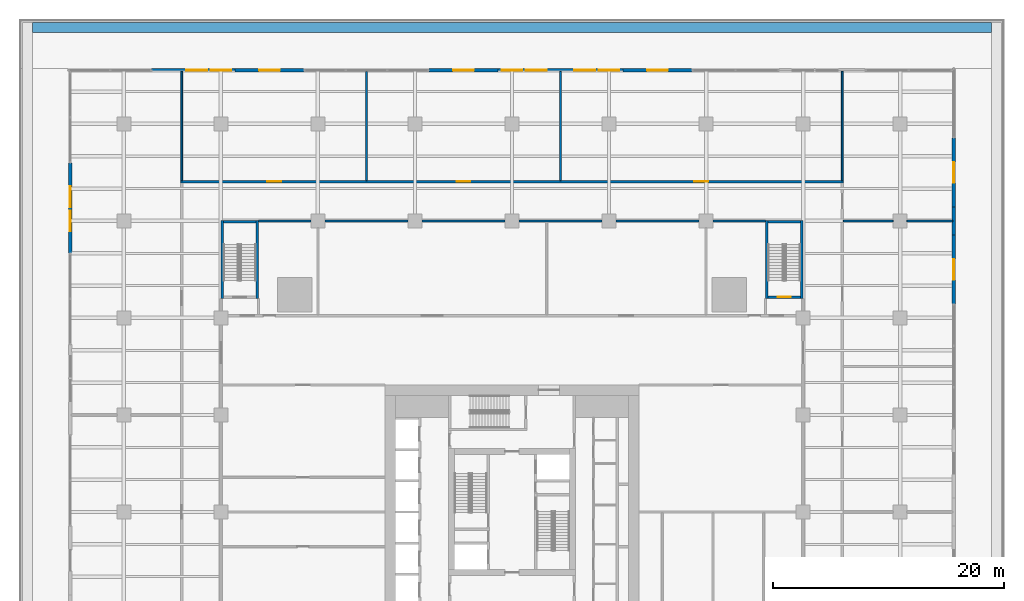
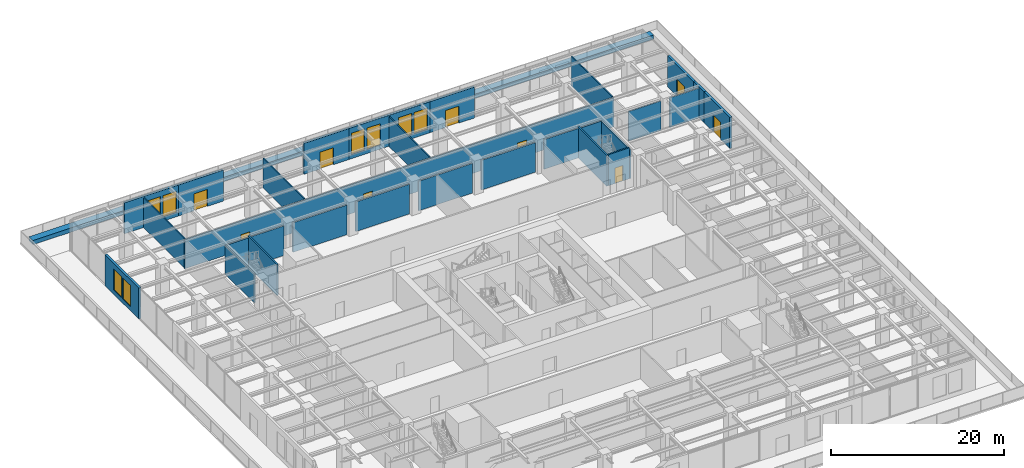
# One storey, part 22 of 32: 30 walls, 9 doors, 8 windows, 17 openings.
"""IFC4 building model written with IfcOpenShell, lengths in metres."""

from ifc_helpers import new_model, si_unit, direction, frame, frame_2d, origin, place, context, subcontext, project, spatial, rectangle, extrude, material, layer, layer_set, type_object, element, fill, save


model = new_model("IFC4")

# Units and contexts
model_context = context("Model", 3, precision=1e-05, world=origin(), true_north=direction((0.0, 1.0)))
body_context = subcontext(model_context, "Body", "Model", "MODEL_VIEW")
ifc_project = project(units=[si_unit("LENGTHUNIT", "METRE"), si_unit("AREAUNIT", "SQUARE_METRE"), si_unit("VOLUMEUNIT", "CUBIC_METRE"), si_unit("PLANEANGLEUNIT", "RADIAN"), si_unit("MASSUNIT", "GRAM", prefix="KILO")], contexts=[model_context])

# Site, building, storey
site_placement = place(None, origin())
site = spatial("IfcSite", under=ifc_project, at=site_placement, CompositionType="ELEMENT")
building_placement = place(site_placement, origin())
building = spatial("IfcBuilding", under=site, at=building_placement, Name="Khepri Terraces", CompositionType="ELEMENT")
storey_placement = place(building_placement, frame((0.0, 0.0, 12.0)))
storey = spatial("IfcBuildingStorey", under=building, at=storey_placement, Name="L02", CompositionType="ELEMENT", Elevation=12.0)

# Wall, opening, door
ifc_material_1 = material(Name="Precast concrete C50/60 warm stone", Category="masonry")
ifc_layer_1 = layer(ifc_material_1, 0.300048828125, Name="Precast concrete C50/60 warm stone", Category="masonry")
ifc_layer_set_1 = layer_set([ifc_layer_1], Name="Precast concrete C50/60 warm stone")
wall_type_1 = type_object("IfcWallType", Name="WL-EXT-PRECAST-300", PredefinedType="STANDARD", material=ifc_layer_set_1)
wall_1_placement = place(storey_placement, frame((38.25, 18.0, 0.0), z_axis=(0.0, 0.0, 1.0), x_axis=(0.0, 1.0, 0.0)))
wall_1 = element("IfcWall", 1, at=wall_1_placement, inside=storey, type_object=wall_type_1, Name="External wall L02 E", PredefinedType="STANDARD", context=body_context, shape_type="SweptSolid", body=[
    extrude(rectangle(XDim=6.0, YDim=0.300048828125, at=frame_2d((3.0, 0.0))), origin(), (0.0, 0.0, 1.0), 4.3798828125),
])
opening_1_placement = place(wall_1_placement, frame((2.10009765625, 0.0, 0.0)))
opening_1 = element("IfcOpeningElement", 2, at=opening_1_placement, cuts=wall_1, Name="Opening ED-L02-06", PredefinedType="OPENING", context=body_context, shape_type="SweptSolid", body=[
    extrude(rectangle(XDim=1.800048828125, YDim=2.39990234375, at=frame_2d((0.89990234375, 1.199951171875))), frame((0.0, 0.16015625, 0.0), z_axis=(0.0, -1.0, 0.0), x_axis=(1.0, 0.0, 0.0)), (0.0, 0.0, 1.0), 0.320068359375),
])
ifc_material_2 = material(Name="Anodised aluminium bronze glazed door", Category="aluminium")
door_type_1 = type_object("IfcDoorType", Name="DR-BAL-SLIDE-1800x2400", OperationType="NOTDEFINED", PredefinedType="DOOR", material=ifc_material_2)
door_1_placement = place(opening_1_placement, origin())
door_1 = element("IfcDoor", 3, at=door_1_placement, inside=storey, type_object=door_type_1, Name="Balcony door L02 E", OperationType="SLIDING_TO_LEFT", OverallHeight=2.39990234375, OverallWidth=1.800048828125, PredefinedType="DOOR", context=body_context, shape_type="SweptSolid", body=[
    extrude(rectangle(XDim=1.800048828125, YDim=2.39990234375, at=frame_2d((0.89990234375, 1.199951171875))), frame((0.0, 0.02490234375, 0.0), z_axis=(0.0, -1.0, 0.0), x_axis=(1.0, 0.0, 0.0)), (0.0, 0.0, 1.0), 0.050048828125),
])
fill(opening_1, door_1)

# Wall
wall_2_placement = place(storey_placement, frame((38.25, 24.0, 0.0), z_axis=(0.0, 0.0, 1.0), x_axis=(0.0, 1.0, 0.0)))
element("IfcWall", 4, at=wall_2_placement, inside=storey, type_object=wall_type_1, Name="External wall L02 E", PredefinedType="STANDARD", context=body_context, shape_type="SweptSolid", body=[
    extrude(rectangle(XDim=2.39990234375, YDim=0.300048828125, at=frame_2d((1.199951171875, 0.0))), origin(), (0.0, 0.0, 1.0), 4.3798828125),
])

# Wall, opening, door
wall_3_placement = place(storey_placement, frame((38.25, 26.39990234375, 0.0), z_axis=(0.0, 0.0, 1.0), x_axis=(0.0, 1.0, 0.0)))
wall_3 = element("IfcWall", 5, at=wall_3_placement, inside=storey, type_object=wall_type_1, Name="External wall L02 E", PredefinedType="STANDARD", context=body_context, shape_type="SweptSolid", body=[
    extrude(rectangle(XDim=6.0, YDim=0.300048828125, at=frame_2d((3.0, 0.0))), origin(), (0.0, 0.0, 1.0), 4.3798828125),
])
opening_2_placement = place(wall_3_placement, frame((2.10009765625, 0.0, 0.0)))
opening_2 = element("IfcOpeningElement", 6, at=opening_2_placement, cuts=wall_3, Name="Opening ED-L02-07", PredefinedType="OPENING", context=body_context, shape_type="SweptSolid", body=[
    extrude(rectangle(XDim=1.800048828125, YDim=2.39990234375, at=frame_2d((0.89990234375, 1.199951171875))), frame((0.0, 0.16015625, 0.0), z_axis=(0.0, -1.0, 0.0), x_axis=(1.0, 0.0, 0.0)), (0.0, 0.0, 1.0), 0.320068359375),
])
door_2_placement = place(opening_2_placement, origin())
door_2 = element("IfcDoor", 7, at=door_2_placement, inside=storey, type_object=door_type_1, Name="Balcony door L02 E", OperationType="SLIDING_TO_LEFT", OverallHeight=2.39990234375, OverallWidth=1.800048828125, PredefinedType="DOOR", context=body_context, shape_type="SweptSolid", body=[
    extrude(rectangle(XDim=1.800048828125, YDim=2.39990234375, at=frame_2d((0.89990234375, 1.199951171875))), frame((0.0, 0.02490234375, 0.0), z_axis=(0.0, -1.0, 0.0), x_axis=(1.0, 0.0, 0.0)), (0.0, 0.0, 1.0), 0.050048828125),
])
fill(opening_2, door_2)

wall_4_placement = place(storey_placement, frame((15.60009765625, 38.25, 0.0), z_axis=(0.0, 0.0, 1.0), x_axis=(-1.0, 0.0, 0.0)))
wall_4 = element("IfcWall", 8, at=wall_4_placement, inside=storey, type_object=wall_type_1, Name="External wall L02 N", PredefinedType="STANDARD", context=body_context, shape_type="SweptSolid", body=[
    extrude(rectangle(XDim=6.0, YDim=0.300048828125, at=frame_2d((3.0, 0.0))), origin(), (0.0, 0.0, 1.0), 4.3798828125),
])
opening_3_placement = place(wall_4_placement, frame((2.10009765625, 0.0, 0.0)))
opening_3 = element("IfcOpeningElement", 9, at=opening_3_placement, cuts=wall_4, Name="Opening ED-L02-08", PredefinedType="OPENING", context=body_context, shape_type="SweptSolid", body=[
    extrude(rectangle(XDim=1.800048828125, YDim=2.39990234375, at=frame_2d((0.89990234375, 1.199951171875))), frame((0.0, 0.16015625, 0.0), z_axis=(0.0, -1.0, 0.0), x_axis=(1.0, 0.0, 0.0)), (0.0, 0.0, 1.0), 0.320068359375),
])
door_3_placement = place(opening_3_placement, origin())
door_3 = element("IfcDoor", 10, at=door_3_placement, inside=storey, type_object=door_type_1, Name="Balcony door L02 N", OperationType="SLIDING_TO_RIGHT", OverallHeight=2.39990234375, OverallWidth=1.800048828125, PredefinedType="DOOR", context=body_context, shape_type="SweptSolid", body=[
    extrude(rectangle(XDim=1.800048828125, YDim=2.39990234375, at=frame_2d((0.89990234375, 1.199951171875))), frame((0.0, 0.02490234375, 0.0), z_axis=(0.0, -1.0, 0.0), x_axis=(1.0, 0.0, 0.0)), (0.0, 0.0, 1.0), 0.050048828125),
])
fill(opening_3, door_3)

# Wall, openings, windows
wall_5_placement = place(storey_placement, frame((9.60009765625, 38.25, 0.0), z_axis=(0.0, 0.0, 1.0), x_axis=(-1.0, 0.0, 0.0)))
wall_5 = element("IfcWall", 11, at=wall_5_placement, inside=storey, type_object=wall_type_1, Name="External wall L02 N", PredefinedType="STANDARD", context=body_context, shape_type="SweptSolid", body=[
    extrude(rectangle(XDim=10.800048828125, YDim=0.300048828125, at=frame_2d((5.39990234375, 0.0))), origin(), (0.0, 0.0, 1.0), 4.3798828125),
])
opening_4_placement = place(wall_5_placement, frame((0.300048828125, 0.0, 0.60009765625)))
opening_4 = element("IfcOpeningElement", 12, at=opening_4_placement, cuts=wall_5, Name="Opening WP1", PredefinedType="OPENING", context=body_context, shape_type="SweptSolid", body=[
    extrude(rectangle(XDim=1.800048828125, YDim=3.0, at=frame_2d((0.89990234375, 1.5))), frame((0.0, 0.16015625, 0.0), z_axis=(0.0, -1.0, 0.0), x_axis=(1.0, 0.0, 0.0)), (0.0, 0.0, 1.0), 0.320068359375),
])
opening_5_placement = place(wall_5_placement, frame((2.39990234375, 0.0, 0.60009765625)))
opening_5 = element("IfcOpeningElement", 13, at=opening_5_placement, cuts=wall_5, Name="Opening WP1", PredefinedType="OPENING", context=body_context, shape_type="SweptSolid", body=[
    extrude(rectangle(XDim=1.800048828125, YDim=3.0, at=frame_2d((0.89990234375, 1.5))), frame((0.0, 0.16015625, 0.0), z_axis=(0.0, -1.0, 0.0), x_axis=(1.0, 0.0, 0.0)), (0.0, 0.0, 1.0), 0.320068359375),
])
opening_6_placement = place(wall_5_placement, frame((6.60009765625, 0.0, 0.60009765625)))
opening_6 = element("IfcOpeningElement", 14, at=opening_6_placement, cuts=wall_5, Name="Opening WP1", PredefinedType="OPENING", context=body_context, shape_type="SweptSolid", body=[
    extrude(rectangle(XDim=1.800048828125, YDim=3.0, at=frame_2d((0.89990234375, 1.5))), frame((0.0, 0.16015625, 0.0), z_axis=(0.0, -1.0, 0.0), x_axis=(1.0, 0.0, 0.0)), (0.0, 0.0, 1.0), 0.320068359375),
])
opening_7_placement = place(wall_5_placement, frame((8.699951171875, 0.0, 0.60009765625)))
opening_7 = element("IfcOpeningElement", 15, at=opening_7_placement, cuts=wall_5, Name="Opening WP1", PredefinedType="OPENING", context=body_context, shape_type="SweptSolid", body=[
    extrude(rectangle(XDim=1.800048828125, YDim=3.0, at=frame_2d((0.89990234375, 1.5))), frame((0.0, 0.16015625, 0.0), z_axis=(0.0, -1.0, 0.0), x_axis=(1.0, 0.0, 0.0)), (0.0, 0.0, 1.0), 0.320068359375),
])
ifc_material_3 = material(Name="Clear glass", Category="glass")
window_type = type_object("IfcWindowType", Name="WIN-POD-1800x3000", PartitioningType="SINGLE_PANEL", PredefinedType="WINDOW", material=ifc_material_3)
window_1_placement = place(opening_4_placement, origin())
window_1 = element("IfcWindow", 16, at=window_1_placement, inside=storey, type_object=window_type, Name="Window L02 N", OverallHeight=3.0, OverallWidth=1.800048828125, PartitioningType="SINGLE_PANEL", PredefinedType="WINDOW", context=body_context, shape_type="SweptSolid", body=[
    extrude(rectangle(XDim=1.800048828125, YDim=3.0, at=frame_2d((0.89990234375, 1.5))), frame((0.0, 0.030029296875, 0.0), z_axis=(0.0, -1.0, 0.0), x_axis=(1.0, 0.0, 0.0)), (0.0, 0.0, 1.0), 0.06005859375),
])
fill(opening_4, window_1)
window_2_placement = place(opening_5_placement, origin())
window_2 = element("IfcWindow", 17, at=window_2_placement, inside=storey, type_object=window_type, Name="Window L02 N", OverallHeight=3.0, OverallWidth=1.800048828125, PartitioningType="SINGLE_PANEL", PredefinedType="WINDOW", context=body_context, shape_type="SweptSolid", body=[
    extrude(rectangle(XDim=1.800048828125, YDim=3.0, at=frame_2d((0.89990234375, 1.5))), frame((0.0, 0.030029296875, 0.0), z_axis=(0.0, -1.0, 0.0), x_axis=(1.0, 0.0, 0.0)), (0.0, 0.0, 1.0), 0.06005859375),
])
fill(opening_5, window_2)
window_3_placement = place(opening_6_placement, origin())
window_3 = element("IfcWindow", 18, at=window_3_placement, inside=storey, type_object=window_type, Name="Window L02 N", OverallHeight=3.0, OverallWidth=1.800048828125, PartitioningType="SINGLE_PANEL", PredefinedType="WINDOW", context=body_context, shape_type="SweptSolid", body=[
    extrude(rectangle(XDim=1.800048828125, YDim=3.0, at=frame_2d((0.89990234375, 1.5))), frame((0.0, 0.030029296875, 0.0), z_axis=(0.0, -1.0, 0.0), x_axis=(1.0, 0.0, 0.0)), (0.0, 0.0, 1.0), 0.06005859375),
])
fill(opening_6, window_3)
window_4_placement = place(opening_7_placement, origin())
window_4 = element("IfcWindow", 19, at=window_4_placement, inside=storey, type_object=window_type, Name="Window L02 N", OverallHeight=3.0, OverallWidth=1.800048828125, PartitioningType="SINGLE_PANEL", PredefinedType="WINDOW", context=body_context, shape_type="SweptSolid", body=[
    extrude(rectangle(XDim=1.800048828125, YDim=3.0, at=frame_2d((0.89990234375, 1.5))), frame((0.0, 0.030029296875, 0.0), z_axis=(0.0, -1.0, 0.0), x_axis=(1.0, 0.0, 0.0)), (0.0, 0.0, 1.0), 0.06005859375),
])
fill(opening_7, window_4)

# Wall, opening, door
wall_6_placement = place(storey_placement, frame((-1.199951171875, 38.25, 0.0), z_axis=(0.0, 0.0, 1.0), x_axis=(-1.0, 0.0, 0.0)))
wall_6 = element("IfcWall", 20, at=wall_6_placement, inside=storey, type_object=wall_type_1, Name="External wall L02 N", PredefinedType="STANDARD", context=body_context, shape_type="SweptSolid", body=[
    extrude(rectangle(XDim=6.0, YDim=0.300048828125, at=frame_2d((3.0, 0.0))), origin(), (0.0, 0.0, 1.0), 4.3798828125),
])
opening_8_placement = place(wall_6_placement, frame((2.10009765625, 0.0, 0.0)))
opening_8 = element("IfcOpeningElement", 21, at=opening_8_placement, cuts=wall_6, Name="Opening ED-L02-09", PredefinedType="OPENING", context=body_context, shape_type="SweptSolid", body=[
    extrude(rectangle(XDim=1.800048828125, YDim=2.39990234375, at=frame_2d((0.89990234375, 1.199951171875))), frame((0.0, 0.16015625, 0.0), z_axis=(0.0, -1.0, 0.0), x_axis=(1.0, 0.0, 0.0)), (0.0, 0.0, 1.0), 0.320068359375),
])
door_4_placement = place(opening_8_placement, origin())
door_4 = element("IfcDoor", 22, at=door_4_placement, inside=storey, type_object=door_type_1, Name="Balcony door L02 N", OperationType="SLIDING_TO_LEFT", OverallHeight=2.39990234375, OverallWidth=1.800048828125, PredefinedType="DOOR", context=body_context, shape_type="SweptSolid", body=[
    extrude(rectangle(XDim=1.800048828125, YDim=2.39990234375, at=frame_2d((0.89990234375, 1.199951171875))), frame((0.0, 0.02490234375, 0.0), z_axis=(0.0, -1.0, 0.0), x_axis=(1.0, 0.0, 0.0)), (0.0, 0.0, 1.0), 0.050048828125),
])
fill(opening_8, door_4)

wall_7_placement = place(storey_placement, frame((-18.0, 38.25, 0.0), z_axis=(0.0, 0.0, 1.0), x_axis=(-1.0, 0.0, 0.0)))
wall_7 = element("IfcWall", 23, at=wall_7_placement, inside=storey, type_object=wall_type_1, Name="External wall L02 N", PredefinedType="STANDARD", context=body_context, shape_type="SweptSolid", body=[
    extrude(rectangle(XDim=6.0, YDim=0.300048828125, at=frame_2d((3.0, 0.0))), origin(), (0.0, 0.0, 1.0), 4.3798828125),
])
opening_9_placement = place(wall_7_placement, frame((2.10009765625, 0.0, 0.0)))
opening_9 = element("IfcOpeningElement", 24, at=opening_9_placement, cuts=wall_7, Name="Opening ED-L02-10", PredefinedType="OPENING", context=body_context, shape_type="SweptSolid", body=[
    extrude(rectangle(XDim=1.800048828125, YDim=2.39990234375, at=frame_2d((0.89990234375, 1.199951171875))), frame((0.0, 0.16015625, 0.0), z_axis=(0.0, -1.0, 0.0), x_axis=(1.0, 0.0, 0.0)), (0.0, 0.0, 1.0), 0.320068359375),
])
door_5_placement = place(opening_9_placement, origin())
door_5 = element("IfcDoor", 25, at=door_5_placement, inside=storey, type_object=door_type_1, Name="Balcony door L02 N", OperationType="SLIDING_TO_LEFT", OverallHeight=2.39990234375, OverallWidth=1.800048828125, PredefinedType="DOOR", context=body_context, shape_type="SweptSolid", body=[
    extrude(rectangle(XDim=1.800048828125, YDim=2.39990234375, at=frame_2d((0.89990234375, 1.199951171875))), frame((0.0, 0.02490234375, 0.0), z_axis=(0.0, -1.0, 0.0), x_axis=(1.0, 0.0, 0.0)), (0.0, 0.0, 1.0), 0.050048828125),
])
fill(opening_9, door_5)

# Wall, openings, windows
wall_8_placement = place(storey_placement, frame((-24.0, 38.25, 0.0), z_axis=(0.0, 0.0, 1.0), x_axis=(-1.0, 0.0, 0.0)))
wall_8 = element("IfcWall", 26, at=wall_8_placement, inside=storey, type_object=wall_type_1, Name="External wall L02 N", PredefinedType="STANDARD", context=body_context, shape_type="SweptSolid", body=[
    extrude(rectangle(XDim=7.199951171875, YDim=0.300048828125, at=frame_2d((3.60009765625, 0.0))), origin(), (0.0, 0.0, 1.0), 4.3798828125),
])
opening_10_placement = place(wall_8_placement, frame((0.300048828125, 0.0, 0.60009765625)))
opening_10 = element("IfcOpeningElement", 27, at=opening_10_placement, cuts=wall_8, Name="Opening WP1", PredefinedType="OPENING", context=body_context, shape_type="SweptSolid", body=[
    extrude(rectangle(XDim=1.800048828125, YDim=3.0, at=frame_2d((0.89990234375, 1.5))), frame((0.0, 0.16015625, 0.0), z_axis=(0.0, -1.0, 0.0), x_axis=(1.0, 0.0, 0.0)), (0.0, 0.0, 1.0), 0.320068359375),
])
opening_11_placement = place(wall_8_placement, frame((2.39990234375, 0.0, 0.60009765625)))
opening_11 = element("IfcOpeningElement", 28, at=opening_11_placement, cuts=wall_8, Name="Opening WP1", PredefinedType="OPENING", context=body_context, shape_type="SweptSolid", body=[
    extrude(rectangle(XDim=1.800048828125, YDim=3.0, at=frame_2d((0.89990234375, 1.5))), frame((0.0, 0.16015625, 0.0), z_axis=(0.0, -1.0, 0.0), x_axis=(1.0, 0.0, 0.0)), (0.0, 0.0, 1.0), 0.320068359375),
])
window_5_placement = place(opening_10_placement, origin())
window_5 = element("IfcWindow", 29, at=window_5_placement, inside=storey, type_object=window_type, Name="Window L02 N", OverallHeight=3.0, OverallWidth=1.800048828125, PartitioningType="SINGLE_PANEL", PredefinedType="WINDOW", context=body_context, shape_type="SweptSolid", body=[
    extrude(rectangle(XDim=1.800048828125, YDim=3.0, at=frame_2d((0.89990234375, 1.5))), frame((0.0, 0.030029296875, 0.0), z_axis=(0.0, -1.0, 0.0), x_axis=(1.0, 0.0, 0.0)), (0.0, 0.0, 1.0), 0.06005859375),
])
fill(opening_10, window_5)
window_6_placement = place(opening_11_placement, origin())
window_6 = element("IfcWindow", 30, at=window_6_placement, inside=storey, type_object=window_type, Name="Window L02 N", OverallHeight=3.0, OverallWidth=1.800048828125, PartitioningType="SINGLE_PANEL", PredefinedType="WINDOW", context=body_context, shape_type="SweptSolid", body=[
    extrude(rectangle(XDim=1.800048828125, YDim=3.0, at=frame_2d((0.89990234375, 1.5))), frame((0.0, 0.030029296875, 0.0), z_axis=(0.0, -1.0, 0.0), x_axis=(1.0, 0.0, 0.0)), (0.0, 0.0, 1.0), 0.06005859375),
])
fill(opening_11, window_6)

wall_9_placement = place(storey_placement, frame((-38.25, 30.239990234375, 0.0), z_axis=(0.0, 0.0, 1.0), x_axis=(0.0, -1.0, 0.0)))
wall_9 = element("IfcWall", 31, at=wall_9_placement, inside=storey, type_object=wall_type_1, Name="External wall L02 W", PredefinedType="STANDARD", context=body_context, shape_type="SweptSolid", body=[
    extrude(rectangle(XDim=7.860107421875, YDim=0.300048828125, at=frame_2d((3.93017578125, 0.0))), origin(), (0.0, 0.0, 1.0), 4.3798828125),
])
opening_12_placement = place(wall_9_placement, frame((2.0400390625, 0.0, 0.60009765625)))
opening_12 = element("IfcOpeningElement", 32, at=opening_12_placement, cuts=wall_9, Name="Opening WP1", PredefinedType="OPENING", context=body_context, shape_type="SweptSolid", body=[
    extrude(rectangle(XDim=1.800048828125, YDim=3.0, at=frame_2d((0.89990234375, 1.5))), frame((0.0, 0.16015625, 0.0), z_axis=(0.0, -1.0, 0.0), x_axis=(1.0, 0.0, 0.0)), (0.0, 0.0, 1.0), 0.320068359375),
])
opening_13_placement = place(wall_9_placement, frame((4.139892578125, 0.0, 0.60009765625)))
opening_13 = element("IfcOpeningElement", 33, at=opening_13_placement, cuts=wall_9, Name="Opening WP1", PredefinedType="OPENING", context=body_context, shape_type="SweptSolid", body=[
    extrude(rectangle(XDim=1.800048828125, YDim=3.0, at=frame_2d((0.89990234375, 1.5))), frame((0.0, 0.16015625, 0.0), z_axis=(0.0, -1.0, 0.0), x_axis=(1.0, 0.0, 0.0)), (0.0, 0.0, 1.0), 0.320068359375),
])
window_7_placement = place(opening_12_placement, origin())
window_7 = element("IfcWindow", 34, at=window_7_placement, inside=storey, type_object=window_type, Name="Window L02 W", OverallHeight=3.0, OverallWidth=1.800048828125, PartitioningType="SINGLE_PANEL", PredefinedType="WINDOW", context=body_context, shape_type="SweptSolid", body=[
    extrude(rectangle(XDim=1.800048828125, YDim=3.0, at=frame_2d((0.89990234375, 1.5))), frame((0.0, 0.030029296875, 0.0), z_axis=(0.0, -1.0, 0.0), x_axis=(1.0, 0.0, 0.0)), (0.0, 0.0, 1.0), 0.06005859375),
])
fill(opening_12, window_7)
window_8_placement = place(opening_13_placement, origin())
window_8 = element("IfcWindow", 35, at=window_8_placement, inside=storey, type_object=window_type, Name="Window L02 W", OverallHeight=3.0, OverallWidth=1.800048828125, PartitioningType="SINGLE_PANEL", PredefinedType="WINDOW", context=body_context, shape_type="SweptSolid", body=[
    extrude(rectangle(XDim=1.800048828125, YDim=3.0, at=frame_2d((0.89990234375, 1.5))), frame((0.0, 0.030029296875, 0.0), z_axis=(0.0, -1.0, 0.0), x_axis=(1.0, 0.0, 0.0)), (0.0, 0.0, 1.0), 0.06005859375),
])
fill(opening_13, window_8)

# Walls
ifc_layer_2 = layer(ifc_material_1, 0.89990234375, Name="Precast concrete C50/60 warm stone", Category="masonry")
ifc_layer_set_2 = layer_set([ifc_layer_2], Name="Precast concrete C50/60 warm stone")
wall_type_2 = type_object("IfcWallType", Name="WL-PLANTER-900", PredefinedType="MOVABLE", material=ifc_layer_set_2)
wall_10_placement = place(storey_placement, frame((-41.5, 41.949951171875, 0.0), z_axis=(0.0, 0.0, 1.0), x_axis=(1.0, 0.0, 0.0)))
element("IfcWall", 36, at=wall_10_placement, inside=storey, type_object=wall_type_2, Name="Planter L02", PredefinedType="MOVABLE", context=body_context, shape_type="SweptSolid", body=[
    extrude(rectangle(XDim=83.0, YDim=0.89990234375, at=frame_2d((41.5, 0.0))), origin(), (0.0, 0.0, 1.0), 0.60009765625),
])
ifc_material_4 = material(Name="Gypsum board partition")
ifc_layer_3 = layer(ifc_material_4, 0.14990234375, Name="Gypsum board partition")
ifc_layer_set_3 = layer_set([ifc_layer_3], Name="Gypsum board partition")
wall_type_3 = type_object("IfcWallType", Name="WL-POD-150", PredefinedType="PARTITIONING", material=ifc_layer_set_3)
wall_11_placement = place(storey_placement, frame((28.699951171875, 25.199951171875, 0.0), z_axis=(0.0, 0.0, 1.0), x_axis=(1.0, 0.0, 0.0)))
element("IfcWall", 37, at=wall_11_placement, inside=storey, type_object=wall_type_3, Name="Partition L02-PW033", PredefinedType="PARTITIONING", context=body_context, shape_type="SweptSolid", body=[
    extrude(rectangle(XDim=4.300048828125, YDim=0.14990234375, at=frame_2d((2.14990234375, 0.0))), origin(), (0.0, 0.0, 1.0), 4.179931640625),
])
wall_12_placement = place(storey_placement, frame((34.199951171875, 25.199951171875, 0.0), z_axis=(0.0, 0.0, 1.0), x_axis=(1.0, 0.0, 0.0)))
element("IfcWall", 38, at=wall_12_placement, inside=storey, type_object=wall_type_3, Name="Partition L02-PW034", PredefinedType="PARTITIONING", context=body_context, shape_type="SweptSolid", body=[
    extrude(rectangle(XDim=3.949951171875, YDim=0.14990234375, at=frame_2d((1.97509765625, 0.0))), origin(), (0.0, 0.0, 1.0), 4.179931640625),
])
for number, where, z_axis, x_axis, name in (
    (39, (-28.60009765625, 28.699951171875, 0.0), (0.0, 0.0, 1.0), (0.0, 1.0, 0.0), "Partition L02-PW038"),
    (40, (-12.60009765625, 28.699951171875, 0.0), (0.0, 0.0, 1.0), (0.0, 1.0, 0.0), "Partition L02-PW049"),
    (41, (4.199951171875, 28.699951171875, 0.0), (0.0, 0.0, 1.0), (0.0, 1.0, 0.0), "Partition L02-PW053"),
    (42, (28.60009765625, 28.699951171875, 0.0), (0.0, 0.0, 1.0), (0.0, 1.0, 0.0), "Partition L02-PW070"),
):
    element("IfcWall", number, at=place(storey_placement, frame(where, z_axis=z_axis, x_axis=x_axis)), inside=storey, type_object=wall_type_3, Name=name, PredefinedType="PARTITIONING", context=body_context, shape_type="SweptSolid", body=[
        extrude(rectangle(XDim=9.449951171875, YDim=0.14990234375, at=frame_2d((4.72509765625, 0.0))), origin(), (0.0, 0.0, 1.0), 4.179931640625),
    ])
ifc_material_5 = material(Name="Fire-rated block wall")
ifc_layer_4 = layer(ifc_material_5, 0.199951171875, Name="Fire-rated block wall")
ifc_layer_set_4 = layer_set([ifc_layer_4], Name="Fire-rated block wall")
wall_type_4 = type_object("IfcWallType", Name="WL-POD-200-EI60", PredefinedType="PARTITIONING", material=ifc_layer_set_4)
wall_13_placement = place(storey_placement, frame((-21.949951171875, 25.199951171875, 0.0), z_axis=(0.0, 0.0, 1.0), x_axis=(1.0, 0.0, 0.0)))
element("IfcWall", 43, at=wall_13_placement, inside=storey, type_object=wall_type_4, Name="Partition L02-PW027", PredefinedType="PARTITIONING", context=body_context, shape_type="SweptSolid", body=[
    extrude(rectangle(XDim=4.550048828125, YDim=0.199951171875, at=frame_2d((2.27490234375, 0.0))), origin(), (0.0, 0.0, 1.0), 4.179931640625),
])
for number, where, z_axis, x_axis, name in (
    (44, (-16.199951171875, 25.199951171875, 0.0), (0.0, 0.0, 1.0), (1.0, 0.0, 0.0), "Partition L02-PW028"),
    (45, (-7.800048828125, 25.199951171875, 0.0), (0.0, 0.0, 1.0), (1.0, 0.0, 0.0), "Partition L02-PW029"),
    (46, (0.60009765625, 25.199951171875, 0.0), (0.0, 0.0, 1.0), (1.0, 0.0, 0.0), "Partition L02-PW030"),
    (47, (9.0, 25.199951171875, 0.0), (0.0, 0.0, 1.0), (1.0, 0.0, 0.0), "Partition L02-PW031"),
):
    element("IfcWall", number, at=place(storey_placement, frame(where, z_axis=z_axis, x_axis=x_axis)), inside=storey, type_object=wall_type_4, Name=name, PredefinedType="PARTITIONING", context=body_context, shape_type="SweptSolid", body=[
        extrude(rectangle(XDim=7.199951171875, YDim=0.199951171875, at=frame_2d((3.60009765625, 0.0))), origin(), (0.0, 0.0, 1.0), 4.179931640625),
    ])
wall_14_placement = place(storey_placement, frame((17.39990234375, 25.199951171875, 0.0), z_axis=(0.0, 0.0, 1.0), x_axis=(1.0, 0.0, 0.0)))
element("IfcWall", 48, at=wall_14_placement, inside=storey, type_object=wall_type_4, Name="Partition L02-PW032", PredefinedType="PARTITIONING", context=body_context, shape_type="SweptSolid", body=[
    extrude(rectangle(XDim=4.550048828125, YDim=0.199951171875, at=frame_2d((2.27490234375, 0.0))), origin(), (0.0, 0.0, 1.0), 4.179931640625),
])

# Wall, openings, doors
wall_15_placement = place(storey_placement, frame((-28.699951171875, 28.60009765625, 0.0), z_axis=(0.0, 0.0, 1.0), x_axis=(1.0, 0.0, 0.0)))
wall_15 = element("IfcWall", 49, at=wall_15_placement, inside=storey, type_object=wall_type_4, Name="Partition L02-PW035", PredefinedType="PARTITIONING", context=body_context, shape_type="SweptSolid", body=[
    extrude(rectangle(XDim=57.39990234375, YDim=0.199951171875, at=frame_2d((28.699951171875, 0.0))), origin(), (0.0, 0.0, 1.0), 4.080078125),
])
opening_14_placement = place(wall_15_placement, frame((7.5, 0.0, 0.0)))
opening_14 = element("IfcOpeningElement", 50, at=opening_14_placement, cuts=wall_15, Name="Opening L02-P37", PredefinedType="OPENING", context=body_context, shape_type="SweptSolid", body=[
    extrude(rectangle(XDim=1.199951171875, YDim=2.199951171875, at=frame_2d((0.60009765625, 1.10009765625))), frame((0.0, 0.10986328125, 0.0), z_axis=(0.0, -1.0, 0.0), x_axis=(1.0, 0.0, 0.0)), (0.0, 0.0, 1.0), 0.219970703125),
])
opening_15_placement = place(wall_15_placement, frame((23.89990234375, 0.0, 0.0)))
opening_15 = element("IfcOpeningElement", 51, at=opening_15_placement, cuts=wall_15, Name="Opening L02-P38", PredefinedType="OPENING", context=body_context, shape_type="SweptSolid", body=[
    extrude(rectangle(XDim=1.199951171875, YDim=2.199951171875, at=frame_2d((0.60009765625, 1.10009765625))), frame((0.0, 0.10986328125, 0.0), z_axis=(0.0, -1.0, 0.0), x_axis=(1.0, 0.0, 0.0)), (0.0, 0.0, 1.0), 0.219970703125),
])
opening_16_placement = place(wall_15_placement, frame((44.5, 0.0, 0.0)))
opening_16 = element("IfcOpeningElement", 52, at=opening_16_placement, cuts=wall_15, Name="Opening L02-P39", PredefinedType="OPENING", context=body_context, shape_type="SweptSolid", body=[
    extrude(rectangle(XDim=1.199951171875, YDim=2.199951171875, at=frame_2d((0.60009765625, 1.10009765625))), frame((0.0, 0.10986328125, 0.0), z_axis=(0.0, -1.0, 0.0), x_axis=(1.0, 0.0, 0.0)), (0.0, 0.0, 1.0), 0.219970703125),
])
ifc_material_6 = material(Name="Timber veneer", Category="wood")
door_type_2 = type_object("IfcDoorType", Name="DR-POD-SINGLE-1200", OperationType="NOTDEFINED", PredefinedType="DOOR", material=ifc_material_6)
door_6_placement = place(opening_14_placement, origin())
door_6 = element("IfcDoor", 53, at=door_6_placement, inside=storey, type_object=door_type_2, Name="Door L02-P37", OperationType="SINGLE_SWING_LEFT", OverallHeight=2.199951171875, OverallWidth=1.199951171875, PredefinedType="DOOR", context=body_context, shape_type="SweptSolid", body=[
    extrude(rectangle(XDim=1.199951171875, YDim=2.199951171875, at=frame_2d((0.60009765625, 1.10009765625))), frame((0.0, 0.02490234375, 0.0), z_axis=(0.0, -1.0, 0.0), x_axis=(1.0, 0.0, 0.0)), (0.0, 0.0, 1.0), 0.050048828125),
])
fill(opening_14, door_6)
door_7_placement = place(opening_15_placement, origin())
door_7 = element("IfcDoor", 54, at=door_7_placement, inside=storey, type_object=door_type_2, Name="Door L02-P38", OperationType="SINGLE_SWING_LEFT", OverallHeight=2.199951171875, OverallWidth=1.199951171875, PredefinedType="DOOR", context=body_context, shape_type="SweptSolid", body=[
    extrude(rectangle(XDim=1.199951171875, YDim=2.199951171875, at=frame_2d((0.60009765625, 1.10009765625))), frame((0.0, 0.02490234375, 0.0), z_axis=(0.0, -1.0, 0.0), x_axis=(1.0, 0.0, 0.0)), (0.0, 0.0, 1.0), 0.050048828125),
])
fill(opening_15, door_7)
door_8_placement = place(opening_16_placement, origin())
door_8 = element("IfcDoor", 55, at=door_8_placement, inside=storey, type_object=door_type_2, Name="Door L02-P39", OperationType="SINGLE_SWING_RIGHT", OverallHeight=2.199951171875, OverallWidth=1.199951171875, PredefinedType="DOOR", context=body_context, shape_type="SweptSolid", body=[
    extrude(rectangle(XDim=1.199951171875, YDim=2.199951171875, at=frame_2d((0.60009765625, 1.10009765625))), frame((0.0, 0.02490234375, 0.0), z_axis=(0.0, -1.0, 0.0), x_axis=(1.0, 0.0, 0.0)), (0.0, 0.0, 1.0), 0.050048828125),
])
fill(opening_16, door_8)

# Walls
ifc_material_7 = material(Name="Concrete C40/50", Category="concrete")
ifc_layer_5 = layer(ifc_material_7, 0.199951171875, Name="Concrete C40/50", Category="concrete")
ifc_layer_set_5 = layer_set([ifc_layer_5], Name="Concrete C40/50")
wall_type_5 = type_object("IfcWallType", Name="WL-POD-STAIR-200", PredefinedType="SOLIDWALL", material=ifc_layer_set_5)
wall_16_placement = place(storey_placement, frame((22.050048828125, 18.5, 0.0), z_axis=(0.0, 0.0, 1.0), x_axis=(0.0, 1.0, 0.0)))
element("IfcWall", 56, at=wall_16_placement, inside=storey, type_object=wall_type_5, Name="Stair enclosure PS-1 L02-W", PredefinedType="SOLIDWALL", context=body_context, shape_type="SweptSolid", body=[
    extrude(rectangle(XDim=6.739990234375, YDim=0.199951171875, at=frame_2d((3.3701171875, 0.0))), origin(), (0.0, 0.0, 1.0), 4.3798828125),
])
wall_17_placement = place(storey_placement, frame((25.10009765625, 18.5, 0.0), z_axis=(0.0, 0.0, 1.0), x_axis=(0.0, 1.0, 0.0)))
element("IfcWall", 57, at=wall_17_placement, inside=storey, type_object=wall_type_5, Name="Stair enclosure PS-1 L02-E", PredefinedType="SOLIDWALL", context=body_context, shape_type="SweptSolid", body=[
    extrude(rectangle(XDim=6.739990234375, YDim=0.199951171875, at=frame_2d((3.3701171875, 0.0))), origin(), (0.0, 0.0, 1.0), 4.080078125),
])

# Wall, opening, door
wall_18_placement = place(storey_placement, frame((22.14990234375, 18.60009765625, 0.0), z_axis=(0.0, 0.0, 1.0), x_axis=(1.0, 0.0, 0.0)))
wall_18 = element("IfcWall", 58, at=wall_18_placement, inside=storey, type_object=wall_type_5, Name="Stair enclosure PS-1 L02-S", PredefinedType="SOLIDWALL", context=body_context, shape_type="SweptSolid", body=[
    extrude(rectangle(XDim=2.85009765625, YDim=0.199951171875, at=frame_2d((1.425048828125, 0.0))), origin(), (0.0, 0.0, 1.0), 4.3798828125),
])
opening_17_placement = place(wall_18_placement, frame((0.875, 0.0, 0.0)))
opening_17 = element("IfcOpeningElement", 59, at=opening_17_placement, cuts=wall_18, Name="Opening L02-PS-1D", PredefinedType="OPENING", context=body_context, shape_type="SweptSolid", body=[
    extrude(rectangle(XDim=1.10009765625, YDim=2.199951171875, at=frame_2d((0.550048828125, 1.10009765625))), frame((0.0, 0.10986328125, 0.0), z_axis=(0.0, -1.0, 0.0), x_axis=(1.0, 0.0, 0.0)), (0.0, 0.0, 1.0), 0.219970703125),
])
ifc_material_8 = material(Name="Painted steel", Category="steel")
door_type_3 = type_object("IfcDoorType", Name="DR-POD-STAIR-1100", OperationType="NOTDEFINED", PredefinedType="DOOR", material=ifc_material_8)
door_9_placement = place(opening_17_placement, origin())
door_9 = element("IfcDoor", 60, at=door_9_placement, inside=storey, type_object=door_type_3, Name="Stair door L02-PS-1D", OperationType="SINGLE_SWING_RIGHT", OverallHeight=2.199951171875, OverallWidth=1.10009765625, PredefinedType="DOOR", context=body_context, shape_type="SweptSolid", body=[
    extrude(rectangle(XDim=1.10009765625, YDim=2.199951171875, at=frame_2d((0.550048828125, 1.10009765625))), frame((0.0, 0.02490234375, 0.0), z_axis=(0.0, -1.0, 0.0), x_axis=(1.0, 0.0, 0.0)), (0.0, 0.0, 1.0), 0.050048828125),
])
fill(opening_17, door_9)

# Walls
wall_19_placement = place(storey_placement, frame((22.14990234375, 25.139892578125, 0.0), z_axis=(0.0, 0.0, 1.0), x_axis=(1.0, 0.0, 0.0)))
element("IfcWall", 61, at=wall_19_placement, inside=storey, type_object=wall_type_5, Name="Stair enclosure PS-1 L02-N", PredefinedType="SOLIDWALL", context=body_context, shape_type="SweptSolid", body=[
    extrude(rectangle(XDim=2.85009765625, YDim=0.199951171875, at=frame_2d((1.425048828125, 0.0))), origin(), (0.0, 0.0, 1.0), 4.179931640625),
])
wall_20_placement = place(storey_placement, frame((-25.10009765625, 18.5, 0.0), z_axis=(0.0, 0.0, 1.0), x_axis=(0.0, 1.0, 0.0)))
element("IfcWall", 62, at=wall_20_placement, inside=storey, type_object=wall_type_5, Name="Stair enclosure PS-2 L02-W", PredefinedType="SOLIDWALL", context=body_context, shape_type="SweptSolid", body=[
    extrude(rectangle(XDim=6.739990234375, YDim=0.199951171875, at=frame_2d((3.3701171875, 0.0))), origin(), (0.0, 0.0, 1.0), 4.080078125),
])
wall_21_placement = place(storey_placement, frame((-22.050048828125, 18.5, 0.0), z_axis=(0.0, 0.0, 1.0), x_axis=(0.0, 1.0, 0.0)))
element("IfcWall", 63, at=wall_21_placement, inside=storey, type_object=wall_type_5, Name="Stair enclosure PS-2 L02-E", PredefinedType="SOLIDWALL", context=body_context, shape_type="SweptSolid", body=[
    extrude(rectangle(XDim=6.739990234375, YDim=0.199951171875, at=frame_2d((3.3701171875, 0.0))), origin(), (0.0, 0.0, 1.0), 4.3798828125),
])
wall_22_placement = place(storey_placement, frame((-25.0, 25.139892578125, 0.0), z_axis=(0.0, 0.0, 1.0), x_axis=(1.0, 0.0, 0.0)))
element("IfcWall", 64, at=wall_22_placement, inside=storey, type_object=wall_type_5, Name="Stair enclosure PS-2 L02-N", PredefinedType="SOLIDWALL", context=body_context, shape_type="SweptSolid", body=[
    extrude(rectangle(XDim=2.85009765625, YDim=0.199951171875, at=frame_2d((1.425048828125, 0.0))), origin(), (0.0, 0.0, 1.0), 4.179931640625),
])

save(model, "model.ifc")
